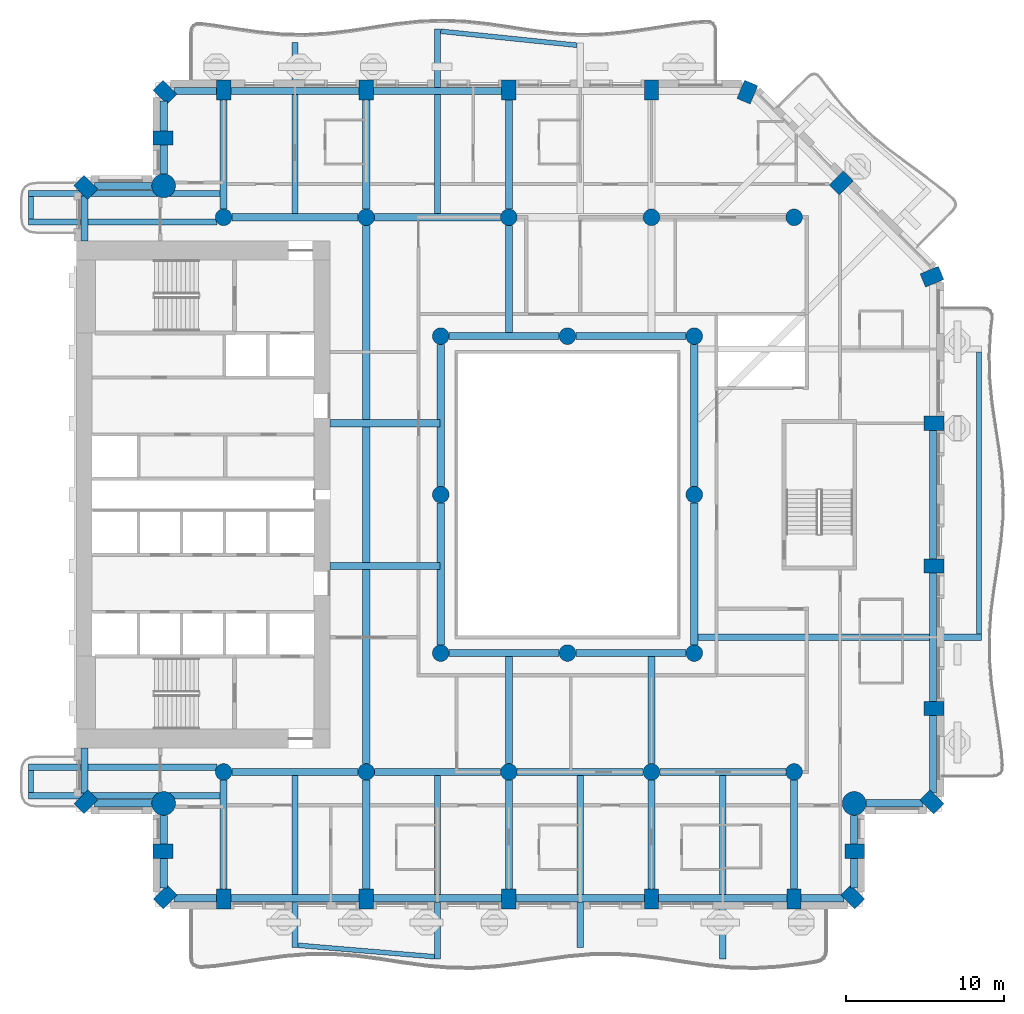
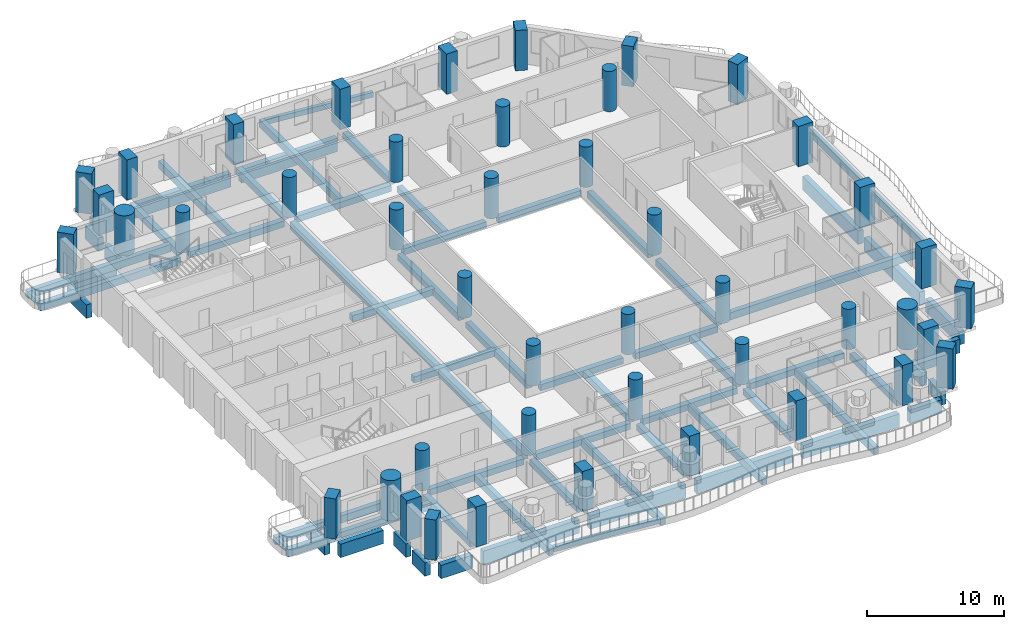
# One storey, part 1 of 19: 69 beams, 45 columns.
"""IFC4 building model written with IfcOpenShell, lengths in metres."""

from ifc_helpers import new_model, si_unit, direction, frame, origin, origin_2d, place, context, subcontext, project, spatial, rectangle, circle, extrude, material, material_profile, profile_set, type_object, element, save


model = new_model("IFC4")

# Units and contexts
model_context = context("Model", 3, precision=1e-05, world=origin(), true_north=direction((0.0, 1.0)))
body_context = subcontext(model_context, "Body", "Model", "MODEL_VIEW")
ifc_project = project(units=[si_unit("LENGTHUNIT", "METRE"), si_unit("AREAUNIT", "SQUARE_METRE"), si_unit("VOLUMEUNIT", "CUBIC_METRE"), si_unit("PLANEANGLEUNIT", "RADIAN"), si_unit("MASSUNIT", "GRAM", prefix="KILO")], contexts=[model_context])

# Site, building, storey
site_placement = place(None, origin())
site = spatial("IfcSite", under=ifc_project, at=site_placement, CompositionType="ELEMENT")
building_placement = place(site_placement, origin())
building = spatial("IfcBuilding", under=site, at=building_placement, Name="Cypress Arch Tower", CompositionType="ELEMENT")
storey_placement = place(building_placement, frame((0.0, 0.0, 141.89990234375)))
storey = spatial("IfcBuildingStorey", under=building, at=storey_placement, Name="L31", CompositionType="ELEMENT", Elevation=141.89990234375)

# Columns
ifc_material_1 = material(Name="Concrete C80/95", Category="concrete")
ifc_material_profile_1 = material_profile(ifc_material_1, rectangle(XDim=0.89990234375, YDim=1.25, at=origin_2d()), Name="RC 900x1250")
ifc_profile_set_1 = profile_set([ifc_material_profile_1], Name="Concrete C80/95")
column_type_1 = type_object("IfcColumnType", Name="Column RC 900x1250 Concrete C80/95", PredefinedType="COLUMN", material=ifc_profile_set_1)
for number, where, z_axis, x_axis, name in (
    (1, (-29.389892578125, 19.389892578125, 0.0), (0.0, 0.0, 1.0), (-0.707106781187, -0.707106781187, 0.0), "Column L31 CA00"),
    (2, (-29.389892578125, -19.389892578125, 0.0), (0.0, 0.0, 1.0), (0.707106781187, -0.707106781187, 0.0), "Column L31 CA01"),
    (3, (-24.52490234375, -22.5, 0.0), (0.0, 0.0, 1.0), (0.0, -1.0, 0.0), "Column L31 CA03"),
    (4, (-24.389892578125, -25.389892578125, 0.0), (0.0, 0.0, 1.0), (0.707106781187, -0.707106781187, 0.0), "Column L31 CA04"),
    (5, (-20.699951171875, -25.52490234375, 0.0), (0.0, 0.0, 1.0), (1.0, 0.0, 0.0), "Column L31 CA05"),
    (6, (-11.699951171875, -25.52490234375, 0.0), (0.0, 0.0, 1.0), (1.0, 0.0, 0.0), "Column L31 CA06"),
    (7, (-2.699951171875, -25.52490234375, 0.0), (0.0, 0.0, 1.0), (1.0, 0.0, 0.0), "Column L31 CA07"),
    (8, (6.300048828125, -25.52490234375, 0.0), (0.0, 0.0, 1.0), (1.0, 0.0, 0.0), "Column L31 CA08"),
    (9, (15.300048828125, -25.52490234375, 0.0), (0.0, 0.0, 1.0), (1.0, 0.0, 0.0), "Column L31 CA09"),
    (10, (18.98974609375, -25.389892578125, 0.0), (0.0, 0.0, 1.0), (0.707106781187, 0.707106781187, 0.0), "Column L31 CA10"),
    (11, (19.125, -22.5, 0.0), (0.0, 0.0, 1.0), (0.0, 1.0, 0.0), "Column L31 CA11"),
    (12, (23.98974609375, -19.389892578125, 0.0), (0.0, 0.0, 1.0), (0.707106781187, 0.707106781187, 0.0), "Column L31 CA13"),
    (13, (24.125, -13.5, 0.0), (0.0, 0.0, 1.0), (0.0, 1.0, 0.0), "Column L31 CA14"),
    (14, (24.125, -4.5, 0.0), (0.0, 0.0, 1.0), (0.0, 1.0, 0.0), "Column L31 CA15"),
    (15, (24.125, 4.5, 0.0), (0.0, 0.0, 1.0), (0.0, 1.0, 0.0), "Column L31 CA16"),
    (16, (24.00048828125, 13.751708984375, 0.0), (0.0, 0.0, 1.0), (-0.382683496864, 0.923879505795, 0.0), "Column L31 CA17"),
    (17, (18.26416015625, 19.6640625, 0.0), (0.0, 0.0, 1.0), (-0.707106781187, 0.707106781187, 0.0), "Column L31 CA18"),
    (18, (12.3515625, 25.400390625, 0.0), (0.0, 0.0, 1.0), (-0.923879505795, 0.382683496864, 0.0), "Column L31 CA19"),
    (19, (6.300048828125, 25.52490234375, 0.0), (0.0, 0.0, 1.0), (-1.0, 0.0, 0.0), "Column L31 CA20"),
    (20, (-2.699951171875, 25.52490234375, 0.0), (0.0, 0.0, 1.0), (-1.0, 0.0, 0.0), "Column L31 CA21"),
    (21, (-11.699951171875, 25.52490234375, 0.0), (0.0, 0.0, 1.0), (-1.0, 0.0, 0.0), "Column L31 CA22"),
    (22, (-20.699951171875, 25.52490234375, 0.0), (0.0, 0.0, 1.0), (-1.0, 0.0, 0.0), "Column L31 CA23"),
    (23, (-24.389892578125, 25.389892578125, 0.0), (0.0, 0.0, 1.0), (-0.707106781187, -0.707106781187, 0.0), "Column L31 CA24"),
    (24, (-24.52490234375, 22.5, 0.0), (0.0, 0.0, 1.0), (0.0, -1.0, 0.0), "Column L31 CA25"),
):
    element("IfcColumn", number, at=place(storey_placement, frame(where, z_axis=z_axis, x_axis=x_axis)), inside=storey, type_object=column_type_1, Name=name, PredefinedType="COLUMN", context=body_context, shape_type="SweptSolid", body=[
        extrude(rectangle(XDim=0.89990234375, YDim=1.25, at=origin_2d()), origin(), (0.0, 0.0, 1.0), 3.60009765625),
    ])
ifc_material_2 = material(Name="Concrete C70/85", Category="concrete")
ifc_material_profile_2 = material_profile(ifc_material_2, circle(Radius=0.52490234375, at=origin_2d()), Name="RC D1050")
ifc_profile_set_2 = profile_set([ifc_material_profile_2], Name="Concrete C70/85")
column_type_2 = type_object("IfcColumnType", Name="Column RC D1050 Concrete C70/85", PredefinedType="COLUMN", material=ifc_profile_set_2)
for number, where, z_axis, x_axis, name in (
    (25, (-20.699951171875, -17.5, 0.0), (0.0, 0.0, 1.0), (1.0, 0.0, 0.0), "Column L31 CIC-L31-CI3S"),
    (26, (-11.699951171875, -17.5, 0.0), (0.0, 0.0, 1.0), (1.0, 0.0, 0.0), "Column L31 CIC-L31-CI4S"),
    (27, (-2.699951171875, -17.5, 0.0), (0.0, 0.0, 1.0), (1.0, 0.0, 0.0), "Column L31 CIC-L31-CI5S"),
    (28, (6.300048828125, -17.5, 0.0), (0.0, 0.0, 1.0), (1.0, 0.0, 0.0), "Column L31 CIC-L31-CI6S"),
    (29, (15.300048828125, -17.5, 0.0), (0.0, 0.0, 1.0), (1.0, 0.0, 0.0), "Column L31 CIC-L31-CI7S"),
    (30, (-20.699951171875, 17.5, 0.0), (0.0, 0.0, 1.0), (1.0, 0.0, 0.0), "Column L31 CIC-L31-CI3N"),
    (31, (-11.699951171875, 17.5, 0.0), (0.0, 0.0, 1.0), (1.0, 0.0, 0.0), "Column L31 CIC-L31-CI4N"),
    (32, (-2.699951171875, 17.5, 0.0), (0.0, 0.0, 1.0), (1.0, 0.0, 0.0), "Column L31 CIC-L31-CI5N"),
    (33, (6.300048828125, 17.5, 0.0), (0.0, 0.0, 1.0), (1.0, 0.0, 0.0), "Column L31 CIC-L31-CI6N"),
    (34, (15.300048828125, 17.5, 0.0), (0.0, 0.0, 1.0), (1.0, 0.0, 0.0), "Column L31 CIC-L31-CI7N"),
    (35, (-7.0, -10.0, 0.0), (0.0, 0.0, 1.0), (1.0, 0.0, 0.0), "Column L31 RNG-L31-G-7-10"),
    (36, (-7.0, 0.0, 0.0), (0.0, 0.0, 1.0), (1.0, 0.0, 0.0), "Column L31 RNG-L31-G-7+0"),
    (37, (-7.0, 10.0, 0.0), (0.0, 0.0, 1.0), (1.0, 0.0, 0.0), "Column L31 RNG-L31-G-7+10"),
    (38, (1.0, -10.0, 0.0), (0.0, 0.0, 1.0), (1.0, 0.0, 0.0), "Column L31 RNG-L31-G+1-10"),
    (39, (1.0, 10.0, 0.0), (0.0, 0.0, 1.0), (1.0, 0.0, 0.0), "Column L31 RNG-L31-G+1+10"),
    (40, (9.0, -10.0, 0.0), (0.0, 0.0, 1.0), (1.0, 0.0, 0.0), "Column L31 RNG-L31-G+9-10"),
    (41, (9.0, 0.0, 0.0), (0.0, 0.0, 1.0), (1.0, 0.0, 0.0), "Column L31 RNG-L31-G+9+0"),
    (42, (9.0, 10.0, 0.0), (0.0, 0.0, 1.0), (1.0, 0.0, 0.0), "Column L31 RNG-L31-G+9+10"),
):
    element("IfcColumn", number, at=place(storey_placement, frame(where, z_axis=z_axis, x_axis=x_axis)), inside=storey, type_object=column_type_2, Name=name, PredefinedType="COLUMN", context=body_context, shape_type="SweptSolid", body=[
        extrude(circle(Radius=0.52490234375, at=origin_2d()), origin(), (0.0, 0.0, 1.0), 3.60009765625),
    ])
ifc_material_3 = material(Name="Concrete C80/95", Category="concrete")
ifc_material_profile_3 = material_profile(ifc_material_3, circle(Radius=0.75, at=origin_2d()), Name="RC D1500")
ifc_profile_set_3 = profile_set([ifc_material_profile_3], Name="Concrete C80/95")
column_type_3 = type_object("IfcColumnType", Name="Mega-column RC D1500 Concrete C80/95", PredefinedType="COLUMN", material=ifc_profile_set_3)
for number, where, z_axis, x_axis, name in (
    (43, (-24.48779296875, -19.48779296875, 0.0), (0.0, 0.0, 1.0), (1.0, 0.0, 0.0), "Column L31 CA02"),
    (44, (19.087890625, -19.48779296875, 0.0), (0.0, 0.0, 1.0), (1.0, 0.0, 0.0), "Column L31 CA12"),
    (45, (-24.48779296875, 19.48779296875, 0.0), (0.0, 0.0, 1.0), (1.0, 0.0, 0.0), "Column L31 CA26"),
):
    element("IfcColumn", number, at=place(storey_placement, frame(where, z_axis=z_axis, x_axis=x_axis)), inside=storey, type_object=column_type_3, Name=name, PredefinedType="COLUMN", context=body_context, shape_type="SweptSolid", body=[
        extrude(circle(Radius=0.75, at=origin_2d()), origin(), (0.0, 0.0, 1.0), 3.60009765625),
    ])

# Beams
ifc_material_4 = material(Name="Concrete C50/60", Category="concrete")
ifc_material_profile_4 = material_profile(ifc_material_4, rectangle(XDim=0.300048828125, YDim=0.449951171875, at=origin_2d()), Name="RC 300x450")
ifc_profile_set_4 = profile_set([ifc_material_profile_4], Name="Concrete C50/60")
beam_type_1 = type_object("IfcBeamType", Name="Balcony edge beam RC 300x450 Concrete C50/60", PredefinedType="BEAM", material=ifc_profile_set_4)
beam_1_placement = place(storey_placement, frame((-16.0, -28.439208984375, -0.52490234375), z_axis=(0.996499955458, -0.083593293828, 0.0), x_axis=(0.083593293828, 0.996499955458, 0.0)))
element("IfcBeam", 46, at=beam_1_placement, inside=storey, type_object=beam_type_1, Name="Balcony edge beam L31 A03", PredefinedType="BEAM", context=body_context, shape_type="SweptSolid", body=[
    extrude(rectangle(XDim=0.300048828125, YDim=0.449951171875, at=origin_2d()), origin(), (0.0, 0.0, 1.0), 8.63037109375),
])
beam_2_placement = place(storey_placement, frame((1.60009765625, 28.35546875, -0.52490234375), z_axis=(-0.994766876942, 0.102170742088, 0.0), x_axis=(-0.102170742088, -0.994766876942, 0.0)))
element("IfcBeam", 47, at=beam_2_placement, inside=storey, type_object=beam_type_1, Name="Balcony edge beam L31 A08", PredefinedType="BEAM", context=body_context, shape_type="SweptSolid", body=[
    extrude(rectangle(XDim=0.300048828125, YDim=0.449951171875, at=origin_2d()), origin(), (0.0, 0.0, 1.0), 8.645263671875),
])
ifc_material_5 = material(Name="Concrete C50/60", Category="concrete")
ifc_material_profile_5 = material_profile(ifc_material_5, rectangle(XDim=0.300048828125, YDim=0.64990234375, at=origin_2d()), Name="RC 300x650")
ifc_profile_set_5 = profile_set([ifc_material_profile_5], Name="Concrete C50/60")
beam_type_2 = type_object("IfcBeamType", Name="Balcony edge beam RC 300x650 Concrete C50/60", PredefinedType="BEAM", material=ifc_profile_set_5)
beam_3_placement = place(storey_placement, frame((26.960693359375, -8.800048828125, -0.625), z_axis=(0.000741157375, 0.999999725343, 0.0), x_axis=(-0.999999725343, 0.000741157375, 0.0)))
element("IfcBeam", 48, at=beam_3_placement, inside=storey, type_object=beam_type_2, Name="Balcony edge beam L31 A06", PredefinedType="BEAM", context=body_context, shape_type="SweptSolid", body=[
    extrude(rectangle(XDim=0.300048828125, YDim=0.64990234375, at=origin_2d()), origin(), (0.0, 0.0, 1.0), 17.787841796875),
])
ifc_material_6 = material(Name="Concrete C50/60", Category="concrete")
ifc_material_profile_6 = material_profile(ifc_material_6, rectangle(XDim=0.300048828125, YDim=0.39990234375, at=origin_2d()), Name="RC 300x400")
ifc_profile_set_6 = profile_set([ifc_material_profile_6], Name="Concrete C50/60")
beam_type_3 = type_object("IfcBeamType", Name="Balcony stub beam RC 300x400 Concrete C50/60", PredefinedType="BEAM", material=ifc_profile_set_6)
for number, where, z_axis, x_axis, name in (
    (49, (-32.85009765625, 18.800048828125, -0.5), (0.0, -1.0, 0.0), (1.0, 0.0, 0.0), "Balcony stub beam L31 A00W0"),
    (50, (-32.85009765625, -17.39990234375, -0.5), (0.0, -1.0, 0.0), (1.0, 0.0, 0.0), "Balcony stub beam L31 A00W1"),
):
    element("IfcBeam", number, at=place(storey_placement, frame(where, z_axis=z_axis, x_axis=x_axis)), inside=storey, type_object=beam_type_3, Name=name, PredefinedType="BEAM", context=body_context, shape_type="SweptSolid", body=[
        extrude(rectangle(XDim=0.300048828125, YDim=0.39990234375, at=origin_2d()), origin(), (0.0, 0.0, 1.0), 1.400146484375),
    ])
ifc_material_7 = material(Name="Concrete C50/60", Category="concrete")
ifc_material_profile_7 = material_profile(ifc_material_7, rectangle(XDim=0.39990234375, YDim=0.64990234375, at=origin_2d()), Name="RC 400x650")
ifc_profile_set_7 = profile_set([ifc_material_profile_7], Name="Concrete C50/60")
beam_type_4 = type_object("IfcBeamType", Name="Cantilever beam RC 400x650 Concrete C50/60", PredefinedType="BEAM", material=ifc_profile_set_7)
beam_4_placement = place(storey_placement, frame((-20.925048828125, 19.0, -0.625), z_axis=(-1.0, 0.0, 0.0), x_axis=(0.0, -1.0, 0.0)))
element("IfcBeam", 51, at=beam_4_placement, inside=storey, type_object=beam_type_4, Name="Cantilever beam L31 A00 1", PredefinedType="BEAM", context=body_context, shape_type="SweptSolid", body=[
    extrude(rectangle(XDim=0.39990234375, YDim=0.64990234375, at=origin_2d()), origin(), (0.0, 0.0, 1.0), 12.074951171875),
])
for number, where, z_axis, x_axis, name in (
    (52, (-21.130615234375, 17.199951171875, -0.625), (-1.0, 0.0, 0.0), (0.0, -1.0, 0.0), "Cantilever beam L31 A00 2"),
    (53, (-21.130615234375, -17.199951171875, -0.625), (-1.0, 0.0, 0.0), (0.0, -1.0, 0.0), "Cantilever beam L31 A00 1"),
):
    element("IfcBeam", number, at=place(storey_placement, frame(where, z_axis=z_axis, x_axis=x_axis)), inside=storey, type_object=beam_type_4, Name=name, PredefinedType="BEAM", context=body_context, shape_type="SweptSolid", body=[
        extrude(rectangle(XDim=0.39990234375, YDim=0.64990234375, at=origin_2d()), origin(), (0.0, 0.0, 1.0), 11.869384765625),
    ])
beam_5_placement = place(storey_placement, frame((-20.925048828125, -19.0, -0.625), z_axis=(-1.0, 0.0, 0.0), x_axis=(0.0, -1.0, 0.0)))
element("IfcBeam", 54, at=beam_5_placement, inside=storey, type_object=beam_type_4, Name="Cantilever beam L31 A00 2", PredefinedType="BEAM", context=body_context, shape_type="SweptSolid", body=[
    extrude(rectangle(XDim=0.39990234375, YDim=0.64990234375, at=origin_2d()), origin(), (0.0, 0.0, 1.0), 12.074951171875),
])
beam_6_placement = place(storey_placement, frame((-16.199951171875, -17.72509765625, -0.625), z_axis=(0.0, -1.0, 0.0), x_axis=(1.0, 0.0, 0.0)))
element("IfcBeam", 55, at=beam_6_placement, inside=storey, type_object=beam_type_4, Name="Cantilever beam L31 A03 1", PredefinedType="BEAM", context=body_context, shape_type="SweptSolid", body=[
    extrude(rectangle(XDim=0.39990234375, YDim=0.64990234375, at=origin_2d()), origin(), (0.0, 0.0, 1.0), 10.8642578125),
])
beam_7_placement = place(storey_placement, frame((-7.199951171875, -17.72509765625, -0.625), z_axis=(0.0, -1.0, 0.0), x_axis=(1.0, 0.0, 0.0)))
element("IfcBeam", 56, at=beam_7_placement, inside=storey, type_object=beam_type_4, Name="Cantilever beam L31 A03 2", PredefinedType="BEAM", context=body_context, shape_type="SweptSolid", body=[
    extrude(rectangle(XDim=0.39990234375, YDim=0.64990234375, at=origin_2d()), origin(), (0.0, 0.0, 1.0), 11.58544921875),
])
beam_8_placement = place(storey_placement, frame((1.800048828125, -17.72509765625, -0.625), z_axis=(0.0, -1.0, 0.0), x_axis=(1.0, 0.0, 0.0)))
element("IfcBeam", 57, at=beam_8_placement, inside=storey, type_object=beam_type_4, Name="Cantilever beam L31 A03 3", PredefinedType="BEAM", context=body_context, shape_type="SweptSolid", body=[
    extrude(rectangle(XDim=0.39990234375, YDim=0.64990234375, at=origin_2d()), origin(), (0.0, 0.0, 1.0), 10.8642578125),
])
beam_9_placement = place(storey_placement, frame((10.800048828125, -17.72509765625, -0.625), z_axis=(0.0, -1.0, 0.0), x_axis=(1.0, 0.0, 0.0)))
element("IfcBeam", 58, at=beam_9_placement, inside=storey, type_object=beam_type_4, Name="Cantilever beam L31 A03 4", PredefinedType="BEAM", context=body_context, shape_type="SweptSolid", body=[
    extrude(rectangle(XDim=0.39990234375, YDim=0.64990234375, at=origin_2d()), origin(), (0.0, 0.0, 1.0), 11.586181640625),
])
beam_10_placement = place(storey_placement, frame((9.22509765625, -9.0, -0.625), z_axis=(1.0, 0.0, 0.0), x_axis=(0.0, 1.0, 0.0)))
element("IfcBeam", 59, at=beam_10_placement, inside=storey, type_object=beam_type_4, Name="Cantilever beam L31 A06 1", PredefinedType="BEAM", context=body_context, shape_type="SweptSolid", body=[
    extrude(rectangle(XDim=0.39990234375, YDim=0.64990234375, at=origin_2d()), origin(), (0.0, 0.0, 1.0), 17.885498046875),
])
beam_11_placement = place(storey_placement, frame((-7.199951171875, 17.72509765625, -0.625), z_axis=(0.0, 1.0, 0.0), x_axis=(-1.0, 0.0, 0.0)))
element("IfcBeam", 60, at=beam_11_placement, inside=storey, type_object=beam_type_4, Name="Cantilever beam L31 A08 2", PredefinedType="BEAM", context=body_context, shape_type="SweptSolid", body=[
    extrude(rectangle(XDim=0.39990234375, YDim=0.64990234375, at=origin_2d()), origin(), (0.0, 0.0, 1.0), 11.663818359375),
])
beam_12_placement = place(storey_placement, frame((-16.199951171875, 17.72509765625, -0.625), z_axis=(0.0, 1.0, 0.0), x_axis=(-1.0, 0.0, 0.0)))
element("IfcBeam", 61, at=beam_12_placement, inside=storey, type_object=beam_type_4, Name="Cantilever beam L31 A08 3", PredefinedType="BEAM", context=body_context, shape_type="SweptSolid", body=[
    extrude(rectangle(XDim=0.39990234375, YDim=0.64990234375, at=origin_2d()), origin(), (0.0, 0.0, 1.0), 10.791259765625),
])
ifc_material_8 = material(Name="Concrete C50/60", Category="concrete")
ifc_material_profile_8 = material_profile(ifc_material_8, rectangle(XDim=0.449951171875, YDim=0.550048828125, at=origin_2d()), Name="RC 450x550")
ifc_profile_set_8 = profile_set([ifc_material_profile_8], Name="Concrete C50/60")
beam_type_5 = type_object("IfcBeamType", Name="Floor beam RC 450x550 Concrete C50/60", PredefinedType="BEAM", material=ifc_profile_set_8)
for number, where, z_axis, x_axis, name in (
    (62, (-7.0, -9.47509765625, -0.574951171875), (0.0, 1.0, 0.0), (-1.0, 0.0, 0.0), "Floor beam L31 RB001"),
    (63, (-7.0, 0.52490234375, -0.574951171875), (0.0, 1.0, 0.0), (-1.0, 0.0, 0.0), "Floor beam L31 RB002"),
    (64, (9.0, -9.47509765625, -0.574951171875), (0.0, 1.0, 0.0), (-1.0, 0.0, 0.0), "Floor beam L31 RB003"),
    (65, (9.0, 0.52490234375, -0.574951171875), (0.0, 1.0, 0.0), (-1.0, 0.0, 0.0), "Floor beam L31 RB004"),
):
    element("IfcBeam", number, at=place(storey_placement, frame(where, z_axis=z_axis, x_axis=x_axis)), inside=storey, type_object=beam_type_5, Name=name, PredefinedType="BEAM", context=body_context, shape_type="SweptSolid", body=[
        extrude(rectangle(XDim=0.449951171875, YDim=0.550048828125, at=origin_2d()), origin(), (0.0, 0.0, 1.0), 8.9501953125),
    ])
for number, where, z_axis, x_axis, name in (
    (66, (-6.47509765625, -10.0, -0.574951171875), (1.0, 0.0, 0.0), (0.0, 1.0, 0.0), "Floor beam L31 RB005"),
    (67, (1.52490234375, -10.0, -0.574951171875), (1.0, 0.0, 0.0), (0.0, 1.0, 0.0), "Floor beam L31 RB006"),
    (68, (-6.47509765625, 10.0, -0.574951171875), (1.0, 0.0, 0.0), (0.0, 1.0, 0.0), "Floor beam L31 RB007"),
    (69, (1.52490234375, 10.0, -0.574951171875), (1.0, 0.0, 0.0), (0.0, 1.0, 0.0), "Floor beam L31 RB008"),
):
    element("IfcBeam", number, at=place(storey_placement, frame(where, z_axis=z_axis, x_axis=x_axis)), inside=storey, type_object=beam_type_5, Name=name, PredefinedType="BEAM", context=body_context, shape_type="SweptSolid", body=[
        extrude(rectangle(XDim=0.449951171875, YDim=0.550048828125, at=origin_2d()), origin(), (0.0, 0.0, 1.0), 6.9501953125),
    ])
for number, where, z_axis, x_axis, name in (
    (70, (-20.175048828125, -17.5, -0.574951171875), (1.0, 0.0, 0.0), (0.0, 1.0, 0.0), "Floor beam L31 FB009"),
    (71, (-11.175048828125, -17.5, -0.574951171875), (1.0, 0.0, 0.0), (0.0, 1.0, 0.0), "Floor beam L31 FB010"),
    (72, (-2.175048828125, -17.5, -0.574951171875), (1.0, 0.0, 0.0), (0.0, 1.0, 0.0), "Floor beam L31 FB011"),
    (73, (6.824951171875, -17.5, -0.574951171875), (1.0, 0.0, 0.0), (0.0, 1.0, 0.0), "Floor beam L31 FB012"),
):
    element("IfcBeam", number, at=place(storey_placement, frame(where, z_axis=z_axis, x_axis=x_axis)), inside=storey, type_object=beam_type_5, Name=name, PredefinedType="BEAM", context=body_context, shape_type="SweptSolid", body=[
        extrude(rectangle(XDim=0.449951171875, YDim=0.550048828125, at=origin_2d()), origin(), (0.0, 0.0, 1.0), 7.949951171875),
    ])
for number, where, z_axis, x_axis, name in (
    (74, (-14.0, -4.5, -0.574951171875), (1.0, 0.0, 0.0), (0.0, 1.0, 0.0), "Floor beam L31 FB013"),
    (75, (-14.0, 4.5, -0.574951171875), (1.0, 0.0, 0.0), (0.0, 1.0, 0.0), "Floor beam L31 FB014"),
):
    element("IfcBeam", number, at=place(storey_placement, frame(where, z_axis=z_axis, x_axis=x_axis)), inside=storey, type_object=beam_type_5, Name=name, PredefinedType="BEAM", context=body_context, shape_type="SweptSolid", body=[
        extrude(rectangle(XDim=0.449951171875, YDim=0.550048828125, at=origin_2d()), origin(), (0.0, 0.0, 1.0), 6.949951171875),
    ])
for number, where, z_axis, x_axis, name in (
    (76, (-20.175048828125, 17.5, -0.574951171875), (1.0, 0.0, 0.0), (0.0, 1.0, 0.0), "Floor beam L31 FB015"),
    (77, (-11.175048828125, 17.5, -0.574951171875), (1.0, 0.0, 0.0), (0.0, 1.0, 0.0), "Floor beam L31 FB016"),
):
    element("IfcBeam", number, at=place(storey_placement, frame(where, z_axis=z_axis, x_axis=x_axis)), inside=storey, type_object=beam_type_5, Name=name, PredefinedType="BEAM", context=body_context, shape_type="SweptSolid", body=[
        extrude(rectangle(XDim=0.449951171875, YDim=0.550048828125, at=origin_2d()), origin(), (0.0, 0.0, 1.0), 7.949951171875),
    ])
for number, where, z_axis, x_axis, name in (
    (78, (-20.699951171875, -24.89990234375, -0.574951171875), (0.0, 1.0, 0.0), (-1.0, 0.0, 0.0), "Floor beam L31 FB019"),
    (79, (-20.699951171875, 18.02490234375, -0.574951171875), (0.0, 1.0, 0.0), (-1.0, 0.0, 0.0), "Floor beam L31 FB020"),
    (80, (-11.699951171875, -24.89990234375, -0.574951171875), (0.0, 1.0, 0.0), (-1.0, 0.0, 0.0), "Floor beam L31 FB021"),
):
    element("IfcBeam", number, at=place(storey_placement, frame(where, z_axis=z_axis, x_axis=x_axis)), inside=storey, type_object=beam_type_5, Name=name, PredefinedType="BEAM", context=body_context, shape_type="SweptSolid", body=[
        extrude(rectangle(XDim=0.449951171875, YDim=0.550048828125, at=origin_2d()), origin(), (0.0, 0.0, 1.0), 6.875),
    ])
beam_13_placement = place(storey_placement, frame((-11.699951171875, -4.27490234375, -0.574951171875), z_axis=(0.0, 1.0, 0.0), x_axis=(-1.0, 0.0, 0.0)))
element("IfcBeam", 81, at=beam_13_placement, inside=storey, type_object=beam_type_5, Name="Floor beam L31 FB023", PredefinedType="BEAM", context=body_context, shape_type="SweptSolid", body=[
    extrude(rectangle(XDim=0.449951171875, YDim=0.550048828125, at=origin_2d()), origin(), (0.0, 0.0, 1.0), 8.5498046875),
])
for number, where, z_axis, x_axis, name in (
    (82, (-11.699951171875, 18.02490234375, -0.574951171875), (0.0, 1.0, 0.0), (-1.0, 0.0, 0.0), "Floor beam L31 FB025"),
    (83, (-2.699951171875, -24.89990234375, -0.574951171875), (0.0, 1.0, 0.0), (-1.0, 0.0, 0.0), "Floor beam L31 FB026"),
):
    element("IfcBeam", number, at=place(storey_placement, frame(where, z_axis=z_axis, x_axis=x_axis)), inside=storey, type_object=beam_type_5, Name=name, PredefinedType="BEAM", context=body_context, shape_type="SweptSolid", body=[
        extrude(rectangle(XDim=0.449951171875, YDim=0.550048828125, at=origin_2d()), origin(), (0.0, 0.0, 1.0), 6.875),
    ])
for number, where, z_axis, x_axis, name in (
    (84, (-2.699951171875, -16.97509765625, -0.574951171875), (0.0, 1.0, 0.0), (-1.0, 0.0, 0.0), "Floor beam L31 FB027"),
    (85, (-2.699951171875, 10.22509765625, -0.574951171875), (0.0, 1.0, 0.0), (-1.0, 0.0, 0.0), "Floor beam L31 FB028"),
):
    element("IfcBeam", number, at=place(storey_placement, frame(where, z_axis=z_axis, x_axis=x_axis)), inside=storey, type_object=beam_type_5, Name=name, PredefinedType="BEAM", context=body_context, shape_type="SweptSolid", body=[
        extrude(rectangle(XDim=0.449951171875, YDim=0.550048828125, at=origin_2d()), origin(), (0.0, 0.0, 1.0), 6.75),
    ])
for number, where, z_axis, x_axis, name in (
    (86, (-2.699951171875, 18.02490234375, -0.574951171875), (0.0, 1.0, 0.0), (-1.0, 0.0, 0.0), "Floor beam L31 FB029"),
    (87, (6.300048828125, -24.89990234375, -0.574951171875), (0.0, 1.0, 0.0), (-1.0, 0.0, 0.0), "Floor beam L31 FB030"),
):
    element("IfcBeam", number, at=place(storey_placement, frame(where, z_axis=z_axis, x_axis=x_axis)), inside=storey, type_object=beam_type_5, Name=name, PredefinedType="BEAM", context=body_context, shape_type="SweptSolid", body=[
        extrude(rectangle(XDim=0.449951171875, YDim=0.550048828125, at=origin_2d()), origin(), (0.0, 0.0, 1.0), 6.875),
    ])
beam_14_placement = place(storey_placement, frame((6.300048828125, -16.97509765625, -0.574951171875), z_axis=(0.0, 1.0, 0.0), x_axis=(-1.0, 0.0, 0.0)))
element("IfcBeam", 88, at=beam_14_placement, inside=storey, type_object=beam_type_5, Name="Floor beam L31 FB031", PredefinedType="BEAM", context=body_context, shape_type="SweptSolid", body=[
    extrude(rectangle(XDim=0.449951171875, YDim=0.550048828125, at=origin_2d()), origin(), (0.0, 0.0, 1.0), 6.75),
])
beam_15_placement = place(storey_placement, frame((15.300048828125, -24.89990234375, -0.574951171875), z_axis=(0.0, 1.0, 0.0), x_axis=(-1.0, 0.0, 0.0)))
element("IfcBeam", 89, at=beam_15_placement, inside=storey, type_object=beam_type_5, Name="Floor beam L31 FB034", PredefinedType="BEAM", context=body_context, shape_type="SweptSolid", body=[
    extrude(rectangle(XDim=0.449951171875, YDim=0.550048828125, at=origin_2d()), origin(), (0.0, 0.0, 1.0), 6.875),
])
ifc_material_9 = material(Name="Concrete C50/60", Category="concrete")
ifc_material_profile_9 = material_profile(ifc_material_9, rectangle(XDim=0.5, YDim=0.699951171875, at=origin_2d()), Name="RC 500x700")
ifc_profile_set_9 = profile_set([ifc_material_profile_9], Name="Concrete C50/60")
beam_type_6 = type_object("IfcBeamType", Name="Floor beam RC 500x700 Concrete C50/60", PredefinedType="BEAM", material=ifc_profile_set_9)
for number, where, z_axis, x_axis, name in (
    (90, (-11.699951171875, -16.97509765625, -0.64990234375), (0.0, 1.0, 0.0), (-1.0, 0.0, 0.0), "Floor beam L31 FB022"),
    (91, (-11.699951171875, 4.72509765625, -0.64990234375), (0.0, 1.0, 0.0), (-1.0, 0.0, 0.0), "Floor beam L31 FB024"),
):
    element("IfcBeam", number, at=place(storey_placement, frame(where, z_axis=z_axis, x_axis=x_axis)), inside=storey, type_object=beam_type_6, Name=name, PredefinedType="BEAM", context=body_context, shape_type="SweptSolid", body=[
        extrude(rectangle(XDim=0.5, YDim=0.699951171875, at=origin_2d()), origin(), (0.0, 0.0, 1.0), 12.25),
    ])
ifc_material_10 = material(Name="Concrete C50/60", Category="concrete")
ifc_material_profile_10 = material_profile(ifc_material_10, rectangle(XDim=0.449951171875, YDim=1.199951171875, at=origin_2d()), Name="RC 450x1200")
ifc_profile_set_10 = profile_set([ifc_material_profile_10], Name="Concrete C50/60")
beam_type_7 = type_object("IfcBeamType", Name="Spandrel beam RC 450x1200 Concrete C50/60", PredefinedType="SPANDREL", material=ifc_profile_set_10)
for number, where, z_axis, x_axis, name in (
    (92, (-29.47509765625, 18.838623046875, -1.5498046875), (0.0, -1.0, 0.0), (1.0, 0.0, 0.0), "Spandrel beam L31 BA00-0"),
    (93, (-29.47509765625, -16.0, -1.5498046875), (0.0, -1.0, 0.0), (1.0, 0.0, 0.0), "Spandrel beam L31 BA00-0"),
):
    element("IfcBeam", number, at=place(storey_placement, frame(where, z_axis=z_axis, x_axis=x_axis)), inside=storey, type_object=beam_type_7, Name=name, PredefinedType="SPANDREL", context=body_context, shape_type="SweptSolid", body=[
        extrude(rectangle(XDim=0.449951171875, YDim=1.199951171875, at=origin_2d()), origin(), (0.0, 0.0, 1.0), 2.838623046875),
    ])
beam_16_placement = place(storey_placement, frame((-28.838623046875, -19.47509765625, -1.5498046875), z_axis=(1.0, 0.0, 0.0), x_axis=(0.0, 1.0, 0.0)))
element("IfcBeam", 94, at=beam_16_placement, inside=storey, type_object=beam_type_7, Name="Spandrel beam L31 BA01-0", PredefinedType="SPANDREL", context=body_context, shape_type="SweptSolid", body=[
    extrude(rectangle(XDim=0.449951171875, YDim=1.199951171875, at=origin_2d()), origin(), (0.0, 0.0, 1.0), 3.60107421875),
])
beam_17_placement = place(storey_placement, frame((-24.47509765625, -20.237548828125, -1.5498046875), z_axis=(0.0, -1.0, 0.0), x_axis=(1.0, 0.0, 0.0)))
element("IfcBeam", 95, at=beam_17_placement, inside=storey, type_object=beam_type_7, Name="Spandrel beam L31 BA02-0", PredefinedType="SPANDREL", context=body_context, shape_type="SweptSolid", body=[
    extrude(rectangle(XDim=0.449951171875, YDim=1.199951171875, at=origin_2d()), origin(), (0.0, 0.0, 1.0), 1.8125),
])
beam_18_placement = place(storey_placement, frame((-24.47509765625, -22.949951171875, -1.5498046875), z_axis=(0.0, -1.0, 0.0), x_axis=(1.0, 0.0, 0.0)))
element("IfcBeam", 96, at=beam_18_placement, inside=storey, type_object=beam_type_7, Name="Spandrel beam L31 BA02-1", PredefinedType="SPANDREL", context=body_context, shape_type="SweptSolid", body=[
    extrude(rectangle(XDim=0.449951171875, YDim=1.199951171875, at=origin_2d()), origin(), (0.0, 0.0, 1.0), 1.888671875),
])
beam_19_placement = place(storey_placement, frame((-23.838623046875, -25.47509765625, -1.5498046875), z_axis=(1.0, 0.0, 0.0), x_axis=(0.0, 1.0, 0.0)))
element("IfcBeam", 97, at=beam_19_placement, inside=storey, type_object=beam_type_7, Name="Spandrel beam L31 BA03-0", PredefinedType="SPANDREL", context=body_context, shape_type="SweptSolid", body=[
    extrude(rectangle(XDim=0.449951171875, YDim=1.199951171875, at=origin_2d()), origin(), (0.0, 0.0, 1.0), 2.688720703125),
])
for number, where, z_axis, x_axis, name in (
    (98, (-20.25, -25.47509765625, -1.5498046875), (1.0, 0.0, 0.0), (0.0, 1.0, 0.0), "Spandrel beam L31 BA03-1"),
    (99, (-11.25, -25.47509765625, -1.5498046875), (1.0, 0.0, 0.0), (0.0, 1.0, 0.0), "Spandrel beam L31 BA03-2"),
    (100, (-2.25, -25.47509765625, -1.5498046875), (1.0, 0.0, 0.0), (0.0, 1.0, 0.0), "Spandrel beam L31 BA03-3"),
    (101, (6.75, -25.47509765625, -1.5498046875), (1.0, 0.0, 0.0), (0.0, 1.0, 0.0), "Spandrel beam L31 BA03-4"),
):
    element("IfcBeam", number, at=place(storey_placement, frame(where, z_axis=z_axis, x_axis=x_axis)), inside=storey, type_object=beam_type_7, Name=name, PredefinedType="SPANDREL", context=body_context, shape_type="SweptSolid", body=[
        extrude(rectangle(XDim=0.449951171875, YDim=1.199951171875, at=origin_2d()), origin(), (0.0, 0.0, 1.0), 8.10009765625),
    ])
beam_20_placement = place(storey_placement, frame((15.75, -25.47509765625, -1.5498046875), z_axis=(1.0, 0.0, 0.0), x_axis=(0.0, 1.0, 0.0)))
element("IfcBeam", 102, at=beam_20_placement, inside=storey, type_object=beam_type_7, Name="Spandrel beam L31 BA03-5", PredefinedType="SPANDREL", context=body_context, shape_type="SweptSolid", body=[
    extrude(rectangle(XDim=0.449951171875, YDim=1.199951171875, at=origin_2d()), origin(), (0.0, 0.0, 1.0), 2.688720703125),
])
beam_21_placement = place(storey_placement, frame((19.074951171875, -24.838623046875, -1.5498046875), z_axis=(0.0, 1.0, 0.0), x_axis=(-1.0, 0.0, 0.0)))
element("IfcBeam", 103, at=beam_21_placement, inside=storey, type_object=beam_type_7, Name="Spandrel beam L31 BA04-0", PredefinedType="SPANDREL", context=body_context, shape_type="SweptSolid", body=[
    extrude(rectangle(XDim=0.449951171875, YDim=1.199951171875, at=origin_2d()), origin(), (0.0, 0.0, 1.0), 1.888671875),
])
beam_22_placement = place(storey_placement, frame((19.074951171875, -22.050048828125, -1.5498046875), z_axis=(0.0, 1.0, 0.0), x_axis=(-1.0, 0.0, 0.0)))
element("IfcBeam", 104, at=beam_22_placement, inside=storey, type_object=beam_type_7, Name="Spandrel beam L31 BA04-1", PredefinedType="SPANDREL", context=body_context, shape_type="SweptSolid", body=[
    extrude(rectangle(XDim=0.449951171875, YDim=1.199951171875, at=origin_2d()), origin(), (0.0, 0.0, 1.0), 1.8125),
])
beam_23_placement = place(storey_placement, frame((19.837646484375, -19.47509765625, -1.5498046875), z_axis=(1.0, 0.0, 0.0), x_axis=(0.0, 1.0, 0.0)))
element("IfcBeam", 105, at=beam_23_placement, inside=storey, type_object=beam_type_7, Name="Spandrel beam L31 BA05-0", PredefinedType="SPANDREL", context=body_context, shape_type="SweptSolid", body=[
    extrude(rectangle(XDim=0.449951171875, YDim=1.199951171875, at=origin_2d()), origin(), (0.0, 0.0, 1.0), 3.60107421875),
])
beam_24_placement = place(storey_placement, frame((24.074951171875, -18.838623046875, -1.5498046875), z_axis=(0.0, 1.0, 0.0), x_axis=(-1.0, 0.0, 0.0)))
element("IfcBeam", 106, at=beam_24_placement, inside=storey, type_object=beam_type_7, Name="Spandrel beam L31 BA06-0", PredefinedType="SPANDREL", context=body_context, shape_type="SweptSolid", body=[
    extrude(rectangle(XDim=0.449951171875, YDim=1.199951171875, at=origin_2d()), origin(), (0.0, 0.0, 1.0), 4.888671875),
])
for number, where, z_axis, x_axis, name in (
    (107, (24.074951171875, -13.050048828125, -1.5498046875), (0.0, 1.0, 0.0), (-1.0, 0.0, 0.0), "Spandrel beam L31 BA06-1"),
    (108, (24.074951171875, -4.050048828125, -1.5498046875), (0.0, 1.0, 0.0), (-1.0, 0.0, 0.0), "Spandrel beam L31 BA06-2"),
    (109, (-3.14990234375, 25.47509765625, -1.5498046875), (-1.0, 0.0, 0.0), (0.0, -1.0, 0.0), "Spandrel beam L31 BA08-2"),
    (110, (-12.14990234375, 25.47509765625, -1.5498046875), (-1.0, 0.0, 0.0), (0.0, -1.0, 0.0), "Spandrel beam L31 BA08-3"),
):
    element("IfcBeam", number, at=place(storey_placement, frame(where, z_axis=z_axis, x_axis=x_axis)), inside=storey, type_object=beam_type_7, Name=name, PredefinedType="SPANDREL", context=body_context, shape_type="SweptSolid", body=[
        extrude(rectangle(XDim=0.449951171875, YDim=1.199951171875, at=origin_2d()), origin(), (0.0, 0.0, 1.0), 8.10009765625),
    ])
beam_25_placement = place(storey_placement, frame((-21.14990234375, 25.47509765625, -1.5498046875), z_axis=(-1.0, 0.0, 0.0), x_axis=(0.0, -1.0, 0.0)))
element("IfcBeam", 111, at=beam_25_placement, inside=storey, type_object=beam_type_7, Name="Spandrel beam L31 BA08-4", PredefinedType="SPANDREL", context=body_context, shape_type="SweptSolid", body=[
    extrude(rectangle(XDim=0.449951171875, YDim=1.199951171875, at=origin_2d()), origin(), (0.0, 0.0, 1.0), 2.688720703125),
])
beam_26_placement = place(storey_placement, frame((-24.47509765625, 24.838623046875, -1.5498046875), z_axis=(0.0, -1.0, 0.0), x_axis=(1.0, 0.0, 0.0)))
element("IfcBeam", 112, at=beam_26_placement, inside=storey, type_object=beam_type_7, Name="Spandrel beam L31 BA09-0", PredefinedType="SPANDREL", context=body_context, shape_type="SweptSolid", body=[
    extrude(rectangle(XDim=0.449951171875, YDim=1.199951171875, at=origin_2d()), origin(), (0.0, 0.0, 1.0), 1.888671875),
])
beam_27_placement = place(storey_placement, frame((-24.47509765625, 22.050048828125, -1.5498046875), z_axis=(0.0, -1.0, 0.0), x_axis=(1.0, 0.0, 0.0)))
element("IfcBeam", 113, at=beam_27_placement, inside=storey, type_object=beam_type_7, Name="Spandrel beam L31 BA09-1", PredefinedType="SPANDREL", context=body_context, shape_type="SweptSolid", body=[
    extrude(rectangle(XDim=0.449951171875, YDim=1.199951171875, at=origin_2d()), origin(), (0.0, 0.0, 1.0), 1.8125),
])
beam_28_placement = place(storey_placement, frame((-25.237548828125, 19.47509765625, -1.5498046875), z_axis=(-1.0, 0.0, 0.0), x_axis=(0.0, -1.0, 0.0)))
element("IfcBeam", 114, at=beam_28_placement, inside=storey, type_object=beam_type_7, Name="Spandrel beam L31 BA10-0", PredefinedType="SPANDREL", context=body_context, shape_type="SweptSolid", body=[
    extrude(rectangle(XDim=0.449951171875, YDim=1.199951171875, at=origin_2d()), origin(), (0.0, 0.0, 1.0), 3.60107421875),
])

save(model, "model.ifc")
